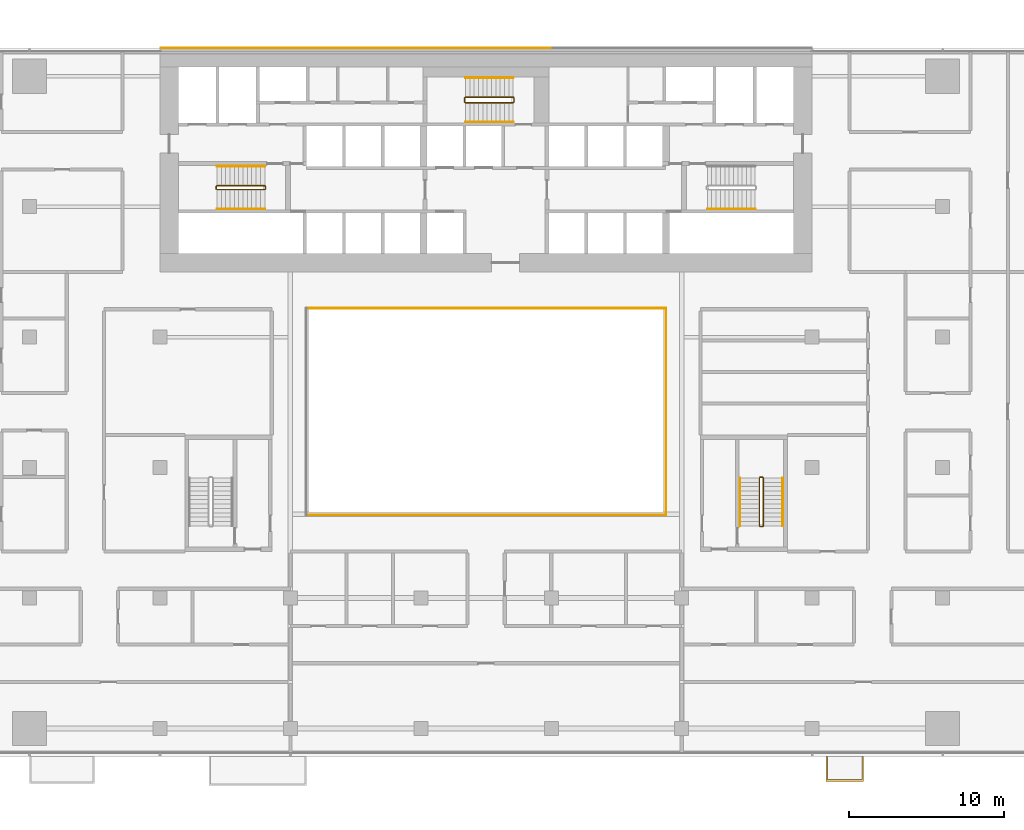
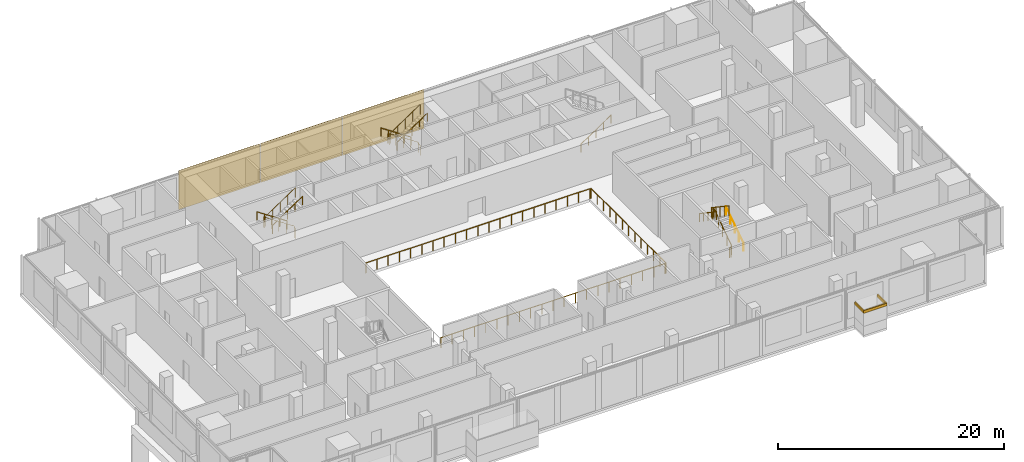
# One storey, part 22 of 23: 13 railings, 4 coverings.
"""IFC4 building model written with IfcOpenShell, lengths in metres."""

import ifcopenshell
import ifcopenshell.guid

model = None  # the IFC model being written
_history = None  # IfcOwnerHistory: only IFC2X3 demands one
_inside = {}  # id of a spatial element -> (the spatial element, [elements in it])
_under = {}  # id of a project, library or spatial element -> (it, [spatial elements below it])
_declared = {}  # id of a project -> (the project, [libraries it declares])
_typed = {}  # id of a type object -> (the type object, [elements of that type])
_made_of = {}  # id of a material, layer set ... -> (it, [elements and type objects made of it])


def new_model(schema):
    """Start an empty IFC model of exactly this schema.

    Asked for "IFC4X3", IfcOpenShell would pick the latest addendum, in which some entities
    have other attributes; the version numbers below select the first issue.
    IFC2X3 requires an IfcOwnerHistory on every rooted entity: one is made here for all.
    """
    global model, _history
    if schema == "IFC4X3":
        model = ifcopenshell.file(schema_version=(4, 3, 0, 0))
    else:
        model = ifcopenshell.file(schema=schema)
    _inside.clear()
    _under.clear()
    _declared.clear()
    _typed.clear()
    _made_of.clear()
    _history = None
    if model.schema == "IFC2X3":
        org = make("IfcOrganization", Name="unknown")
        user = make(
            "IfcPersonAndOrganization",
            ThePerson=make("IfcPerson", FamilyName="unknown"),
            TheOrganization=org,
        )
        app = make(
            "IfcApplication",
            ApplicationDeveloper=org,
            Version="unknown",
            ApplicationFullName="unknown",
            ApplicationIdentifier="unknown",
        )
        _history = make(
            "IfcOwnerHistory",
            OwningUser=user,
            OwningApplication=app,
            ChangeAction="ADDED",
            CreationDate=0,
        )
    return model


def make(cls, **values):
    """One entity of the class cls with the attributes given. An attribute that is None is left unset."""
    return model.create_entity(
        cls, **{name: value for name, value in values.items() if value is not None}
    )


def rooted(cls, **values):
    """An entity with a GlobalId (a new one), such as an element, a storey or a relation."""
    return make(cls, GlobalId=ifcopenshell.guid.new(), OwnerHistory=_history, **values)


def si_unit(unit_type, name, prefix=None):
    """IfcSIUnit, for example si_unit("LENGTHUNIT", "METRE", prefix="MILLI")."""
    return make("IfcSIUnit", UnitType=unit_type, Prefix=prefix, Name=name)


def assignment(units):
    """IfcUnitAssignment: the units of a project."""
    return None if units is None else make("IfcUnitAssignment", Units=units)


def point(xyz):
    """IfcCartesianPoint."""
    return None if xyz is None else make("IfcCartesianPoint", Coordinates=xyz)


def direction(xyz):
    """IfcDirection."""
    return None if xyz is None else make("IfcDirection", DirectionRatios=xyz)


def frame(location, z_axis=None, x_axis=None):
    """IfcAxis2Placement3D, a coordinate frame: its origin and axes. An axis left out is left unset."""
    return make(
        "IfcAxis2Placement3D",
        Location=point(location),
        Axis=direction(z_axis),
        RefDirection=direction(x_axis),
    )


def frame_2d(location, x_axis=None):
    """IfcAxis2Placement2D, a coordinate frame in the plane: its origin and x axis."""
    return make(
        "IfcAxis2Placement2D", Location=point(location), RefDirection=direction(x_axis)
    )


def origin():
    """The frame at (0, 0, 0) with its axes left unset."""
    return frame((0.0, 0.0, 0.0))


def origin_2d():
    """The frame at (0, 0) in the plane with its x axis left unset."""
    return frame_2d((0.0, 0.0))


def place(relative_to, where):
    """IfcLocalPlacement: puts the frame where relative to a parent placement (None: the world)."""
    return make(
        "IfcLocalPlacement", PlacementRelTo=relative_to, RelativePlacement=where
    )


def context(
    kind, dimensions, precision=None, world=None, true_north=None, identifier=None
):
    """IfcGeometricRepresentationContext, for example the 3D "Model" context."""
    return make(
        "IfcGeometricRepresentationContext",
        ContextIdentifier=identifier,
        ContextType=kind,
        CoordinateSpaceDimension=dimensions,
        Precision=precision,
        WorldCoordinateSystem=world,
        TrueNorth=true_north,
    )


def subcontext(parent, identifier, kind, view, scale=None):
    """IfcGeometricRepresentationSubContext, for example "Body" below "Model"."""
    return make(
        "IfcGeometricRepresentationSubContext",
        ContextIdentifier=identifier,
        ContextType=kind,
        ParentContext=parent,
        TargetScale=scale,
        TargetView=view,
    )


def project(units=None, contexts=None):
    """IfcProject with its units and contexts."""
    return rooted(
        "IfcProject",
        Name="project",
        RepresentationContexts=contexts,
        UnitsInContext=assignment(units),
    )


def spatial(cls, under=None, at=None, **own):
    """A site, building, storey or space (cls), placed at a placement, below another one or the project."""
    s = rooted(cls, ObjectPlacement=at, **own)
    if under is not None:
        _under.setdefault(under.id(), (under, []))[1].append(s)
    return s


def polyline(points):
    """IfcPolyline through the points."""
    return make("IfcPolyline", Points=[point(p) for p in points])


def profile(cls, at=None, kind="AREA", **sizes):
    """A parametric profile (cls). Its sizes go by their IFC names, for example OverallWidth=200.0."""
    return make(cls, ProfileType=kind, Position=at, **sizes)


def circle(**sizes):
    """IfcCircleProfileDef."""
    return profile("IfcCircleProfileDef", **sizes)


def outline(outer, holes=None, kind="AREA"):
    """IfcArbitraryClosedProfileDef: a profile drawn as a closed curve; with holes, ...WithVoids."""
    if holes is None:
        return make("IfcArbitraryClosedProfileDef", ProfileType=kind, OuterCurve=outer)
    return make(
        "IfcArbitraryProfileDefWithVoids",
        ProfileType=kind,
        OuterCurve=outer,
        InnerCurves=holes,
    )


def extrude(swept, where, along, depth):
    """IfcExtrudedAreaSolid: the profile swept, set in the frame where, extruded along a direction by depth."""
    return make(
        "IfcExtrudedAreaSolid",
        SweptArea=swept,
        Position=where,
        ExtrudedDirection=direction(along),
        Depth=depth,
    )


def shape(context_of_items, identifier, shape_type, items):
    """IfcShapeRepresentation: the items that make up one representation, for example the "Body"."""
    return make(
        "IfcShapeRepresentation",
        ContextOfItems=context_of_items,
        RepresentationIdentifier=identifier,
        RepresentationType=shape_type,
        Items=items,
    )


def material(Name=None, Category=None):
    """IfcMaterial."""
    return make("IfcMaterial", Name=Name, Category=Category)


def layer(
    of_material, thickness, ventilated=None, Name=None, Category=None, Priority=None
):
    """IfcMaterialLayer: one layer of a wall or slab, of a material (None: an air gap)."""
    return make(
        "IfcMaterialLayer",
        Material=of_material,
        LayerThickness=thickness,
        IsVentilated=ventilated,
        Name=Name,
        Category=Category,
        Priority=Priority,
    )


def layer_set(layers, Name=None):
    """IfcMaterialLayerSet."""
    return make("IfcMaterialLayerSet", MaterialLayers=layers, LayerSetName=Name)


def made_of(thing, what):
    """Note that an element or type object is made of a material, layer set ...; save() writes the relation."""
    if what is not None:
        _made_of.setdefault(what.id(), (what, []))[1].append(thing)
    return thing


def type_object(cls, material=None, **own):
    """A type object (cls), such as IfcWallType, which elements share."""
    return made_of(rooted(cls, **own), material)


def element(
    cls,
    number,
    at=None,
    inside=None,
    cuts=None,
    type_object=None,
    material=None,
    context=None,
    identifier="Body",
    shape_type=None,
    held_by="IfcProductDefinitionShape",
    body=None,
    shapes=None,
    **own,
):
    """One element of the class cls, such as IfcWall. Its Tag is "e" and its number.

    at: its placement. inside: the storey or other place that contains it. cuts: it is an
    opening in that element (IfcRelVoidsElement). A single representation is given by context,
    identifier, shape_type and body (its items); several are given by shapes. held_by: the class
    of the entity that holds the representations. save() writes the other relations.
    """
    e = rooted(cls, Tag="e%d" % number, ObjectPlacement=at, **own)
    if body is not None:
        shapes = [shape(context, identifier, shape_type, body)]
    if shapes is not None:
        e.Representation = make(held_by, Representations=shapes)
    if inside is not None:
        _inside.setdefault(inside.id(), (inside, []))[1].append(e)
    if cuts is not None:
        rooted(
            "IfcRelVoidsElement", RelatingBuildingElement=cuts, RelatedOpeningElement=e
        )
    if type_object is not None:
        _typed.setdefault(type_object.id(), (type_object, []))[1].append(e)
    return made_of(e, material)


def aggregate(whole, parts):
    """IfcRelAggregates: a whole, such as a stair, and the parts it consists of."""
    return rooted("IfcRelAggregates", RelatingObject=whole, RelatedObjects=parts)


def save(model, path):
    """Write the relations noted so far, then the file.

    IfcRelAggregates (storeys below a building ...), IfcRelContainedInSpatialStructure (elements
    in a storey), IfcRelDefinesByType, IfcRelAssociatesMaterial and IfcRelDeclares: one each for
    every whole, place, type object, material and project.
    """
    for whole, parts in _under.values():
        aggregate(whole, parts)
    for where, things in _inside.values():
        rooted(
            "IfcRelContainedInSpatialStructure",
            RelatedElements=things,
            RelatingStructure=where,
        )
    for kind, things in _typed.values():
        rooted("IfcRelDefinesByType", RelatedObjects=things, RelatingType=kind)
    for what, things in _made_of.values():
        rooted("IfcRelAssociatesMaterial", RelatedObjects=things, RelatingMaterial=what)
    for by, libraries in _declared.values():
        rooted("IfcRelDeclares", RelatingContext=by, RelatedDefinitions=libraries)
    model.write(path)


model = new_model("IFC4")

# Units and contexts
model_context = context("Model", 3, precision=1e-05, world=origin(), true_north=direction((0.0, 1.0)))
body_context = subcontext(model_context, "Body", "Model", "MODEL_VIEW")
ifc_project = project(units=[si_unit("LENGTHUNIT", "METRE"), si_unit("AREAUNIT", "SQUARE_METRE"), si_unit("VOLUMEUNIT", "CUBIC_METRE"), si_unit("PLANEANGLEUNIT", "RADIAN"), si_unit("MASSUNIT", "GRAM", prefix="KILO")], contexts=[model_context])

# Site, building, storey
site_placement = place(None, origin())
site = spatial("IfcSite", under=ifc_project, at=site_placement, CompositionType="ELEMENT")
building_placement = place(site_placement, origin())
building = spatial("IfcBuilding", under=site, at=building_placement, Name="Saffron Gate Tower", CompositionType="ELEMENT")
storey_placement = place(building_placement, frame((0.0, 0.0, 32.699951171875)))
storey = spatial("IfcBuildingStorey", under=building, at=storey_placement, Name="L06", CompositionType="ELEMENT", Elevation=32.699951171875)

# Railings
ifc_material_1 = material(Name="Stainless steel and laminated glass", Category="steel")
railing_type_1 = type_object("IfcRailingType", Name="AG1 Atrium edge guard 1100", PredefinedType="GUARDRAIL", material=ifc_material_1)
railing_1_placement = place(storey_placement, frame((76.139892578125, 58.860107421875, 0.0)))
element("IfcRailing", 1, at=railing_1_placement, inside=storey, type_object=railing_type_1, Name="Guard S2-2", PredefinedType="GUARDRAIL", context=body_context, shape_type="SweptSolid", body=[
    extrude(circle(Radius=0.02392578125, at=origin_2d()), frame((0.0, 0.0, 1.076171875), z_axis=(1.0, 0.0, 0.0), x_axis=(0.0, 1.0, 0.0)), (0.0, 0.0, 1.0), 22.920166015625),
    extrude(circle(Radius=0.02099609375, at=origin_2d()), origin(), (0.0, 0.0, 1.0), 1.052001953125),
    extrude(circle(Radius=0.02099609375, at=origin_2d()), frame((1.14599609375, 0.0, 0.0)), (0.0, 0.0, 1.0), 1.052001953125),
    extrude(circle(Radius=0.02099609375, at=origin_2d()), frame((2.2919921875, 0.0, 0.0)), (0.0, 0.0, 1.0), 1.052001953125),
    extrude(circle(Radius=0.02099609375, at=origin_2d()), frame((3.43798828125, 0.0, 0.0)), (0.0, 0.0, 1.0), 1.052001953125),
    extrude(circle(Radius=0.02099609375, at=origin_2d()), frame((4.583984375, 0.0, 0.0)), (0.0, 0.0, 1.0), 1.052001953125),
    extrude(circle(Radius=0.02099609375, at=origin_2d()), frame((5.72998046875, 0.0, 0.0)), (0.0, 0.0, 1.0), 1.052001953125),
    extrude(circle(Radius=0.02099609375, at=origin_2d()), frame((6.8759765625, 0.0, 0.0)), (0.0, 0.0, 1.0), 1.052001953125),
    extrude(circle(Radius=0.02099609375, at=origin_2d()), frame((8.02197265625, 0.0, 0.0)), (0.0, 0.0, 1.0), 1.052001953125),
    extrude(circle(Radius=0.02099609375, at=origin_2d()), frame((9.16796875, 0.0, 0.0)), (0.0, 0.0, 1.0), 1.052001953125),
    extrude(circle(Radius=0.02099609375, at=origin_2d()), frame((10.31396484375, 0.0, 0.0)), (0.0, 0.0, 1.0), 1.052001953125),
    extrude(circle(Radius=0.02099609375, at=origin_2d()), frame((11.4599609375, 0.0, 0.0)), (0.0, 0.0, 1.0), 1.052001953125),
    extrude(circle(Radius=0.02099609375, at=origin_2d()), frame((12.606201171875, 0.0, 0.0)), (0.0, 0.0, 1.0), 1.052001953125),
    extrude(circle(Radius=0.02099609375, at=origin_2d()), frame((13.752197265625, 0.0, 0.0)), (0.0, 0.0, 1.0), 1.052001953125),
    extrude(circle(Radius=0.02099609375, at=origin_2d()), frame((14.898193359375, 0.0, 0.0)), (0.0, 0.0, 1.0), 1.052001953125),
    extrude(circle(Radius=0.02099609375, at=origin_2d()), frame((16.044189453125, 0.0, 0.0)), (0.0, 0.0, 1.0), 1.052001953125),
    extrude(circle(Radius=0.02099609375, at=origin_2d()), frame((17.190185546875, 0.0, 0.0)), (0.0, 0.0, 1.0), 1.052001953125),
    extrude(circle(Radius=0.02099609375, at=origin_2d()), frame((18.336181640625, 0.0, 0.0)), (0.0, 0.0, 1.0), 1.052001953125),
    extrude(circle(Radius=0.02099609375, at=origin_2d()), frame((19.482177734375, 0.0, 0.0)), (0.0, 0.0, 1.0), 1.052001953125),
    extrude(circle(Radius=0.02099609375, at=origin_2d()), frame((20.628173828125, 0.0, 0.0)), (0.0, 0.0, 1.0), 1.052001953125),
    extrude(circle(Radius=0.02099609375, at=origin_2d()), frame((21.774169921875, 0.0, 0.0)), (0.0, 0.0, 1.0), 1.052001953125),
    extrude(circle(Radius=0.02099609375, at=origin_2d()), frame((22.920166015625, 0.0, 0.0)), (0.0, 0.0, 1.0), 1.052001953125),
])
railing_2_placement = place(storey_placement, frame((99.179931640625, 58.860107421875, 0.0)))
element("IfcRailing", 2, at=railing_2_placement, inside=storey, type_object=railing_type_1, Name="Guard S2-3", PredefinedType="GUARDRAIL", context=body_context, shape_type="SweptSolid", body=[
    extrude(circle(Radius=0.02392578125, at=origin_2d()), frame((0.0, 0.0, 1.076171875), z_axis=(0.0, -1.0, 0.0), x_axis=(1.0, 0.0, 0.0)), (0.0, 0.0, 1.0), 13.320068359375),
    extrude(circle(Radius=0.02099609375, at=origin_2d()), origin(), (0.0, 0.0, 1.0), 1.052001953125),
    extrude(circle(Radius=0.02099609375, at=origin_2d()), frame((0.0, -1.110107421875, 0.0)), (0.0, 0.0, 1.0), 1.052001953125),
    extrude(circle(Radius=0.02099609375, at=origin_2d()), frame((0.0, -2.219970703125, 0.0)), (0.0, 0.0, 1.0), 1.052001953125),
    extrude(circle(Radius=0.02099609375, at=origin_2d()), frame((0.0, -3.330078125, 0.0)), (0.0, 0.0, 1.0), 1.052001953125),
    extrude(circle(Radius=0.02099609375, at=origin_2d()), frame((0.0, -4.43994140625, 0.0)), (0.0, 0.0, 1.0), 1.052001953125),
    extrude(circle(Radius=0.02099609375, at=origin_2d()), frame((0.0, -5.550048828125, 0.0)), (0.0, 0.0, 1.0), 1.052001953125),
    extrude(circle(Radius=0.02099609375, at=origin_2d()), frame((0.0, -6.66015625, 0.0)), (0.0, 0.0, 1.0), 1.052001953125),
    extrude(circle(Radius=0.02099609375, at=origin_2d()), frame((0.0, -7.77001953125, 0.0)), (0.0, 0.0, 1.0), 1.052001953125),
    extrude(circle(Radius=0.02099609375, at=origin_2d()), frame((0.0, -8.880126953125, 0.0)), (0.0, 0.0, 1.0), 1.052001953125),
    extrude(circle(Radius=0.02099609375, at=origin_2d()), frame((0.0, -9.989990234375, 0.0)), (0.0, 0.0, 1.0), 1.052001953125),
    extrude(circle(Radius=0.02099609375, at=origin_2d()), frame((0.0, -11.10009765625, 0.0)), (0.0, 0.0, 1.0), 1.052001953125),
    extrude(circle(Radius=0.02099609375, at=origin_2d()), frame((0.0, -12.2099609375, 0.0)), (0.0, 0.0, 1.0), 1.052001953125),
    extrude(circle(Radius=0.02099609375, at=origin_2d()), frame((0.0, -13.320068359375, 0.0)), (0.0, 0.0, 1.0), 1.052001953125),
])
railing_3_placement = place(storey_placement, frame((99.06005859375, 45.5400390625, 0.0)))
element("IfcRailing", 3, at=railing_3_placement, inside=storey, type_object=railing_type_1, Name="Guard S2-4", PredefinedType="GUARDRAIL", context=body_context, shape_type="SweptSolid", body=[
    extrude(circle(Radius=0.02392578125, at=origin_2d()), frame((0.0, 0.0, 1.076171875), z_axis=(-1.0, 0.0, 0.0), x_axis=(0.0, -1.0, 0.0)), (0.0, 0.0, 1.0), 22.920166015625),
    extrude(circle(Radius=0.02099609375, at=origin_2d()), origin(), (0.0, 0.0, 1.0), 1.052001953125),
    extrude(circle(Radius=0.02099609375, at=origin_2d()), frame((-1.14599609375, 0.0, 0.0)), (0.0, 0.0, 1.0), 1.052001953125),
    extrude(circle(Radius=0.02099609375, at=origin_2d()), frame((-2.2919921875, 0.0, 0.0)), (0.0, 0.0, 1.0), 1.052001953125),
    extrude(circle(Radius=0.02099609375, at=origin_2d()), frame((-3.43798828125, 0.0, 0.0)), (0.0, 0.0, 1.0), 1.052001953125),
    extrude(circle(Radius=0.02099609375, at=origin_2d()), frame((-4.583984375, 0.0, 0.0)), (0.0, 0.0, 1.0), 1.052001953125),
    extrude(circle(Radius=0.02099609375, at=origin_2d()), frame((-5.72998046875, 0.0, 0.0)), (0.0, 0.0, 1.0), 1.052001953125),
    extrude(circle(Radius=0.02099609375, at=origin_2d()), frame((-6.8759765625, 0.0, 0.0)), (0.0, 0.0, 1.0), 1.052001953125),
    extrude(circle(Radius=0.02099609375, at=origin_2d()), frame((-8.02197265625, 0.0, 0.0)), (0.0, 0.0, 1.0), 1.052001953125),
    extrude(circle(Radius=0.02099609375, at=origin_2d()), frame((-9.16796875, 0.0, 0.0)), (0.0, 0.0, 1.0), 1.052001953125),
    extrude(circle(Radius=0.02099609375, at=origin_2d()), frame((-10.31396484375, 0.0, 0.0)), (0.0, 0.0, 1.0), 1.052001953125),
    extrude(circle(Radius=0.02099609375, at=origin_2d()), frame((-11.4599609375, 0.0, 0.0)), (0.0, 0.0, 1.0), 1.052001953125),
    extrude(circle(Radius=0.02099609375, at=origin_2d()), frame((-12.606201171875, 0.0, 0.0)), (0.0, 0.0, 1.0), 1.052001953125),
    extrude(circle(Radius=0.02099609375, at=origin_2d()), frame((-13.752197265625, 0.0, 0.0)), (0.0, 0.0, 1.0), 1.052001953125),
    extrude(circle(Radius=0.02099609375, at=origin_2d()), frame((-14.898193359375, 0.0, 0.0)), (0.0, 0.0, 1.0), 1.052001953125),
    extrude(circle(Radius=0.02099609375, at=origin_2d()), frame((-16.044189453125, 0.0, 0.0)), (0.0, 0.0, 1.0), 1.052001953125),
    extrude(circle(Radius=0.02099609375, at=origin_2d()), frame((-17.190185546875, 0.0, 0.0)), (0.0, 0.0, 1.0), 1.052001953125),
    extrude(circle(Radius=0.02099609375, at=origin_2d()), frame((-18.336181640625, 0.0, 0.0)), (0.0, 0.0, 1.0), 1.052001953125),
    extrude(circle(Radius=0.02099609375, at=origin_2d()), frame((-19.482177734375, 0.0, 0.0)), (0.0, 0.0, 1.0), 1.052001953125),
    extrude(circle(Radius=0.02099609375, at=origin_2d()), frame((-20.628173828125, 0.0, 0.0)), (0.0, 0.0, 1.0), 1.052001953125),
    extrude(circle(Radius=0.02099609375, at=origin_2d()), frame((-21.774169921875, 0.0, 0.0)), (0.0, 0.0, 1.0), 1.052001953125),
    extrude(circle(Radius=0.02099609375, at=origin_2d()), frame((-22.920166015625, 0.0, 0.0)), (0.0, 0.0, 1.0), 1.052001953125),
])

# Coverings
ifc_material_2 = material(Name="Powder-coated aluminium, bright green", Category="aluminium")
ifc_layer_1 = layer(ifc_material_2, 0.080078125)
ifc_layer_set_1 = layer_set([ifc_layer_1], Name="BX1 box frame")
covering_type_1 = type_object("IfcCoveringType", Name="BX1 box frame", PredefinedType="CLADDING", material=ifc_layer_set_1)
covering_1_placement = place(storey_placement, frame((0.0, 0.0, 2.400146484375)))
element("IfcCovering", 4, at=covering_1_placement, inside=storey, type_object=covering_type_1, Name="CLADDING box frame bright", PredefinedType="CLADDING", context=body_context, shape_type="SweptSolid", body=[
    extrude(outline(polyline([(109.5, 30.0), (109.60009765625, 30.0), (109.60009765625, 28.5), (111.800048828125, 28.5), (111.800048828125, 30.0), (111.89990234375, 30.0), (111.89990234375, 28.39990234375), (109.5, 28.39990234375), (109.5, 30.0)])), origin(), (0.0, 0.0, 1.0), 0.2998046875),
])
ifc_material_3 = material(Name="Ceramic-printed bronze insulated panel")
ifc_layer_2 = layer(ifc_material_3, 0.0400390625)
ifc_layer_set_2 = layer_set([ifc_layer_2], Name="CLD1 ceramic-printed cladding panel 40")
covering_type_2 = type_object("IfcCoveringType", Name="CLD1 ceramic-printed cladding panel 40", PredefinedType="CLADDING", material=ifc_layer_set_2)
covering_2_placement = place(storey_placement, origin())
element("IfcCovering", 5, at=covering_2_placement, inside=storey, type_object=covering_type_2, Name="CLADDING ceramic-printed panel", PredefinedType="CLADDING", context=body_context, shape_type="SweptSolid", body=[
    extrude(outline(polyline([(91.760009765625, 75.639892578125), (83.43994140625, 75.639892578125), (83.43994140625, 75.60009765625), (91.760009765625, 75.60009765625), (91.760009765625, 75.639892578125)])), origin(), (0.0, 0.0, 1.0), 4.219970703125),
])
covering_3_placement = place(storey_placement, origin())
element("IfcCovering", 6, at=covering_3_placement, inside=storey, type_object=covering_type_2, Name="CLADDING ceramic-printed panel", PredefinedType="CLADDING", context=body_context, shape_type="SweptSolid", body=[
    extrude(outline(polyline([(83.360107421875, 75.639892578125), (75.0400390625, 75.639892578125), (75.0400390625, 75.60009765625), (83.360107421875, 75.60009765625), (83.360107421875, 75.639892578125)])), origin(), (0.0, 0.0, 1.0), 4.219970703125),
])
covering_4_placement = place(storey_placement, origin())
element("IfcCovering", 7, at=covering_4_placement, inside=storey, type_object=covering_type_2, Name="CLADDING ceramic-printed panel", PredefinedType="CLADDING", context=body_context, shape_type="SweptSolid", body=[
    extrude(outline(polyline([(74.9599609375, 75.639892578125), (66.639892578125, 75.639892578125), (66.639892578125, 75.60009765625), (74.9599609375, 75.60009765625), (74.9599609375, 75.639892578125)])), origin(), (0.0, 0.0, 1.0), 4.219970703125),
])

# Railings
railing_type_2 = type_object("IfcRailingType", Name="CR1 Stair guard 1100", PredefinedType="GUARDRAIL", material=ifc_material_1)
railing_4_placement = place(storey_placement, frame((73.39990234375, 66.550048828125, 0.0)))
element("IfcRailing", 8, at=railing_4_placement, inside=storey, type_object=railing_type_2, Name="L06 ST-A stair guard 1", PredefinedType="GUARDRAIL", context=body_context, shape_type="SweptSolid", body=[
    extrude(circle(Radius=0.02392578125, at=origin_2d()), frame((0.0, 0.0, 1.076171875), z_axis=(0.0, 1.0, 0.0), x_axis=(-1.0, 0.0, 0.0)), (0.0, 0.0, 1.0), 0.14990234375),
    extrude(circle(Radius=0.02392578125, at=origin_2d()), frame((0.0, 0.14990234375, 1.076171875), z_axis=(-0.248583702486, 0.249802250048, 0.935844527007), x_axis=(-0.708833529934, -0.705375805398, 0.0)), (0.0, 0.0, 1.0), 0.200439453125),
    extrude(circle(Radius=0.02392578125, at=origin_2d()), frame((-0.0498046875, 0.199951171875, 1.263671875), z_axis=(-0.830913701846, 0.0, 0.55640131208), x_axis=(0.0, -1.0, 0.0)), (0.0, 0.0, 1.0), 3.706787109375),
    extrude(circle(Radius=0.02392578125, at=origin_2d()), frame((-3.1298828125, 0.199951171875, 3.326171875), z_axis=(-0.707106781187, -0.707106781187, 0.0), x_axis=(0.707106781187, -0.707106781187, 0.0)), (0.0, 0.0, 1.0), 0.07080078125),
    extrude(circle(Radius=0.02392578125, at=origin_2d()), frame((-3.179931640625, 0.14990234375, 3.326171875), z_axis=(0.0, -1.0, 0.0), x_axis=(1.0, 0.0, 0.0)), (0.0, 0.0, 1.0), 0.14990234375),
    extrude(circle(Radius=0.02392578125, at=origin_2d()), frame((-3.179931640625, 0.0, 3.326171875), z_axis=(0.249726431254, -0.249726431254, 0.935560483917), x_axis=(0.707106781187, 0.707106781187, 0.0)), (0.0, 0.0, 1.0), 0.200439453125),
    extrude(circle(Radius=0.02392578125, at=origin_2d()), frame((-3.1298828125, -0.050048828125, 3.513671875), z_axis=(0.830913701846, 0.0, 0.55640131208), x_axis=(0.0, 1.0, 0.0)), (0.0, 0.0, 1.0), 3.706787109375),
    extrude(circle(Radius=0.02099609375, at=origin_2d()), origin(), (0.0, 0.0, 1.0), 1.052001953125),
    extrude(circle(Radius=0.02099609375, at=origin_2d()), frame((0.0, 0.14990234375, 0.0)), (0.0, 0.0, 1.0), 1.052001953125),
    extrude(circle(Radius=0.02099609375, at=origin_2d()), frame((-0.0498046875, 0.199951171875, 0.1875)), (0.0, 0.0, 1.0), 1.052001953125),
    extrude(circle(Radius=0.02099609375, at=origin_2d()), frame((-0.81982421875, 0.199951171875, 0.703125)), (0.0, 0.0, 1.0), 1.052001953125),
    extrude(circle(Radius=0.02099609375, at=origin_2d()), frame((-1.58984375, 0.199951171875, 1.21875)), (0.0, 0.0, 1.0), 1.052001953125),
    extrude(circle(Radius=0.02099609375, at=origin_2d()), frame((-2.35986328125, 0.199951171875, 1.734375)), (0.0, 0.0, 1.0), 1.052001953125),
    extrude(circle(Radius=0.02099609375, at=origin_2d()), frame((-3.1298828125, 0.199951171875, 2.25)), (0.0, 0.0, 1.0), 1.052001953125),
    extrude(circle(Radius=0.02099609375, at=origin_2d()), frame((-3.179931640625, 0.14990234375, 2.25)), (0.0, 0.0, 1.0), 1.052001953125),
    extrude(circle(Radius=0.02099609375, at=origin_2d()), frame((-3.179931640625, 0.0, 2.25)), (0.0, 0.0, 1.0), 1.052001953125),
    extrude(circle(Radius=0.02099609375, at=origin_2d()), frame((-3.1298828125, -0.050048828125, 2.4375)), (0.0, 0.0, 1.0), 1.052001953125),
    extrude(circle(Radius=0.02099609375, at=origin_2d()), frame((-2.35986328125, -0.050048828125, 2.953125)), (0.0, 0.0, 1.0), 1.052001953125),
    extrude(circle(Radius=0.02099609375, at=origin_2d()), frame((-1.58984375, -0.050048828125, 3.46875)), (0.0, 0.0, 1.0), 1.052001953125),
    extrude(circle(Radius=0.02099609375, at=origin_2d()), frame((-0.81982421875, -0.050048828125, 3.984375)), (0.0, 0.0, 1.0), 1.052001953125),
    extrude(circle(Radius=0.02099609375, at=origin_2d()), frame((-0.0498046875, -0.050048828125, 4.5)), (0.0, 0.0, 1.0), 1.052001953125),
])
railing_5_placement = place(storey_placement, frame((89.39990234375, 72.14990234375, 0.0)))
element("IfcRailing", 9, at=railing_5_placement, inside=storey, type_object=railing_type_2, Name="L06 ST-C stair guard 1", PredefinedType="GUARDRAIL", context=body_context, shape_type="SweptSolid", body=[
    extrude(circle(Radius=0.02392578125, at=origin_2d()), frame((0.0, 0.0, 1.076171875), z_axis=(0.0, 1.0, 0.0), x_axis=(-1.0, 0.0, 0.0)), (0.0, 0.0, 1.0), 0.25),
    extrude(circle(Radius=0.02392578125, at=origin_2d()), frame((0.0, 0.25, 1.076171875), z_axis=(-0.248583702486, 0.249802250048, 0.935844527007), x_axis=(-0.708833529934, -0.705375805398, 0.0)), (0.0, 0.0, 1.0), 0.200439453125),
    extrude(circle(Radius=0.02392578125, at=origin_2d()), frame((-0.0498046875, 0.300048828125, 1.263671875), z_axis=(-0.830913701846, 0.0, 0.55640131208), x_axis=(0.0, -1.0, 0.0)), (0.0, 0.0, 1.0), 3.706787109375),
    extrude(circle(Radius=0.02392578125, at=origin_2d()), frame((-3.1298828125, 0.300048828125, 3.326171875), z_axis=(-0.707106781187, -0.707106781187, 0.0), x_axis=(0.707106781187, -0.707106781187, 0.0)), (0.0, 0.0, 1.0), 0.07080078125),
    extrude(circle(Radius=0.02392578125, at=origin_2d()), frame((-3.179931640625, 0.25, 3.326171875), z_axis=(0.0, -1.0, 0.0), x_axis=(1.0, 0.0, 0.0)), (0.0, 0.0, 1.0), 0.25),
    extrude(circle(Radius=0.02392578125, at=origin_2d()), frame((-3.179931640625, 0.0, 3.326171875), z_axis=(0.249802250048, -0.248583702486, 0.935844527007), x_axis=(0.705375805398, 0.708833529934, 0.0)), (0.0, 0.0, 1.0), 0.200439453125),
    extrude(circle(Radius=0.02392578125, at=origin_2d()), frame((-3.1298828125, -0.0498046875, 3.513671875), z_axis=(0.830913701846, 0.0, 0.55640131208), x_axis=(0.0, 1.0, 0.0)), (0.0, 0.0, 1.0), 3.706787109375),
    extrude(circle(Radius=0.02099609375, at=origin_2d()), origin(), (0.0, 0.0, 1.0), 1.052001953125),
    extrude(circle(Radius=0.02099609375, at=origin_2d()), frame((0.0, 0.25, 0.0)), (0.0, 0.0, 1.0), 1.052001953125),
    extrude(circle(Radius=0.02099609375, at=origin_2d()), frame((-0.0498046875, 0.300048828125, 0.1875)), (0.0, 0.0, 1.0), 1.052001953125),
    extrude(circle(Radius=0.02099609375, at=origin_2d()), frame((-0.81982421875, 0.300048828125, 0.703125)), (0.0, 0.0, 1.0), 1.052001953125),
    extrude(circle(Radius=0.02099609375, at=origin_2d()), frame((-1.58984375, 0.300048828125, 1.21875)), (0.0, 0.0, 1.0), 1.052001953125),
    extrude(circle(Radius=0.02099609375, at=origin_2d()), frame((-2.35986328125, 0.300048828125, 1.734375)), (0.0, 0.0, 1.0), 1.052001953125),
    extrude(circle(Radius=0.02099609375, at=origin_2d()), frame((-3.1298828125, 0.300048828125, 2.25)), (0.0, 0.0, 1.0), 1.052001953125),
    extrude(circle(Radius=0.02099609375, at=origin_2d()), frame((-3.179931640625, 0.25, 2.25)), (0.0, 0.0, 1.0), 1.052001953125),
    extrude(circle(Radius=0.02099609375, at=origin_2d()), frame((-3.179931640625, 0.0, 2.25)), (0.0, 0.0, 1.0), 1.052001953125),
    extrude(circle(Radius=0.02099609375, at=origin_2d()), frame((-3.1298828125, -0.0498046875, 2.4375)), (0.0, 0.0, 1.0), 1.052001953125),
    extrude(circle(Radius=0.02099609375, at=origin_2d()), frame((-2.35986328125, -0.0498046875, 2.953125)), (0.0, 0.0, 1.0), 1.052001953125),
    extrude(circle(Radius=0.02099609375, at=origin_2d()), frame((-1.58984375, -0.0498046875, 3.46875)), (0.0, 0.0, 1.0), 1.052001953125),
    extrude(circle(Radius=0.02099609375, at=origin_2d()), frame((-0.81982421875, -0.0498046875, 3.984375)), (0.0, 0.0, 1.0), 1.052001953125),
    extrude(circle(Radius=0.02099609375, at=origin_2d()), frame((-0.0498046875, -0.0498046875, 4.5)), (0.0, 0.0, 1.0), 1.052001953125),
])
railing_6_placement = place(storey_placement, frame((105.25, 44.800048828125, 0.0)))
element("IfcRailing", 10, at=railing_6_placement, inside=storey, type_object=railing_type_2, Name="L06 ST-E stair guard 1", PredefinedType="GUARDRAIL", context=body_context, shape_type="SweptSolid", body=[
    extrude(circle(Radius=0.02392578125, at=origin_2d()), frame((0.0, 0.0, 1.076171875), z_axis=(1.0, 0.0, 0.0), x_axis=(0.0, 1.0, 0.0)), (0.0, 0.0, 1.0), 0.14990234375),
    extrude(circle(Radius=0.02392578125, at=origin_2d()), frame((0.14990234375, 0.0, 1.076171875), z_axis=(0.249726431254, 0.249726431254, 0.935560483917), x_axis=(-0.707106781187, 0.707106781187, 0.0)), (0.0, 0.0, 1.0), 0.200439453125),
    extrude(circle(Radius=0.02392578125, at=origin_2d()), frame((0.199951171875, 0.050048828125, 1.263671875), z_axis=(0.0, 0.830893310487, 0.556431762742), x_axis=(-1.0, 0.0, 0.0)), (0.0, 0.0, 1.0), 3.70654296875),
    extrude(circle(Radius=0.02392578125, at=origin_2d()), frame((0.199951171875, 3.1298828125, 3.326171875), z_axis=(-0.707106781187, 0.707106781187, 0.0), x_axis=(-0.707106781187, -0.707106781187, 0.0)), (0.0, 0.0, 1.0), 0.07080078125),
    extrude(circle(Radius=0.02392578125, at=origin_2d()), frame((0.14990234375, 3.179931640625, 3.326171875), z_axis=(-1.0, 0.0, 0.0), x_axis=(0.0, -1.0, 0.0)), (0.0, 0.0, 1.0), 0.14990234375),
    extrude(circle(Radius=0.02392578125, at=origin_2d()), frame((0.0, 3.179931640625, 3.326171875), z_axis=(-0.249726431254, -0.249726431254, 0.935560483917), x_axis=(0.707106781187, -0.707106781187, 0.0)), (0.0, 0.0, 1.0), 0.200439453125),
    extrude(circle(Radius=0.02392578125, at=origin_2d()), frame((-0.050048828125, 3.1298828125, 3.513671875), z_axis=(0.0, -0.830893310487, 0.556431762742), x_axis=(1.0, 0.0, 0.0)), (0.0, 0.0, 1.0), 3.70654296875),
    extrude(circle(Radius=0.02099609375, at=origin_2d()), origin(), (0.0, 0.0, 1.0), 1.052001953125),
    extrude(circle(Radius=0.02099609375, at=origin_2d()), frame((0.14990234375, 0.0, 0.0)), (0.0, 0.0, 1.0), 1.052001953125),
    extrude(circle(Radius=0.02099609375, at=origin_2d()), frame((0.199951171875, 0.050048828125, 0.1875)), (0.0, 0.0, 1.0), 1.052001953125),
    extrude(circle(Radius=0.02099609375, at=origin_2d()), frame((0.199951171875, 0.820068359375, 0.703125)), (0.0, 0.0, 1.0), 1.052001953125),
    extrude(circle(Radius=0.02099609375, at=origin_2d()), frame((0.199951171875, 1.58984375, 1.21875)), (0.0, 0.0, 1.0), 1.052001953125),
    extrude(circle(Radius=0.02099609375, at=origin_2d()), frame((0.199951171875, 2.35986328125, 1.734375)), (0.0, 0.0, 1.0), 1.052001953125),
    extrude(circle(Radius=0.02099609375, at=origin_2d()), frame((0.199951171875, 3.1298828125, 2.25)), (0.0, 0.0, 1.0), 1.052001953125),
    extrude(circle(Radius=0.02099609375, at=origin_2d()), frame((0.14990234375, 3.179931640625, 2.25)), (0.0, 0.0, 1.0), 1.052001953125),
    extrude(circle(Radius=0.02099609375, at=origin_2d()), frame((0.0, 3.179931640625, 2.25)), (0.0, 0.0, 1.0), 1.052001953125),
    extrude(circle(Radius=0.02099609375, at=origin_2d()), frame((-0.050048828125, 3.1298828125, 2.4375)), (0.0, 0.0, 1.0), 1.052001953125),
    extrude(circle(Radius=0.02099609375, at=origin_2d()), frame((-0.050048828125, 2.35986328125, 2.953125)), (0.0, 0.0, 1.0), 1.052001953125),
    extrude(circle(Radius=0.02099609375, at=origin_2d()), frame((-0.050048828125, 1.58984375, 3.46875)), (0.0, 0.0, 1.0), 1.052001953125),
    extrude(circle(Radius=0.02099609375, at=origin_2d()), frame((-0.050048828125, 0.820068359375, 3.984375)), (0.0, 0.0, 1.0), 1.052001953125),
    extrude(circle(Radius=0.02099609375, at=origin_2d()), frame((-0.050048828125, 0.050048828125, 4.5)), (0.0, 0.0, 1.0), 1.052001953125),
])
ifc_material_4 = material(Name="Stainless steel", Category="steel")
railing_type_3 = type_object("IfcRailingType", Name="CR2 Stair handrail 900", PredefinedType="HANDRAIL", material=ifc_material_4)
railing_7_placement = place(storey_placement, frame((73.35009765625, 68.0, 0.1875)))
element("IfcRailing", 11, at=railing_7_placement, inside=storey, type_object=railing_type_3, Name="L06 ST-A stair handrail 1", PredefinedType="HANDRAIL", context=body_context, shape_type="SweptSolid", body=[
    extrude(circle(Radius=0.02392578125, at=origin_2d()), frame((0.0, 0.0, 0.8759765625), z_axis=(-0.830913701846, 0.0, 0.55640131208), x_axis=(0.0, -1.0, 0.0)), (0.0, 0.0, 1.0), 3.706787109375),
    extrude(circle(Radius=0.02099609375, at=origin_2d()), origin(), (0.0, 0.0, 1.0), 0.851806640625),
    extrude(circle(Radius=0.02099609375, at=origin_2d()), frame((-0.77001953125, 0.0, 0.515625)), (0.0, 0.0, 1.0), 0.851806640625),
    extrude(circle(Radius=0.02099609375, at=origin_2d()), frame((-1.5400390625, 0.0, 1.03125)), (0.0, 0.0, 1.0), 0.851806640625),
    extrude(circle(Radius=0.02099609375, at=origin_2d()), frame((-2.31005859375, 0.0, 1.546875)), (0.0, 0.0, 1.0), 0.851806640625),
    extrude(circle(Radius=0.02099609375, at=origin_2d()), frame((-3.080078125, 0.0, 2.0625)), (0.0, 0.0, 1.0), 0.851806640625),
])
railing_8_placement = place(storey_placement, frame((70.27001953125, 65.25, 2.4375)))
element("IfcRailing", 12, at=railing_8_placement, inside=storey, type_object=railing_type_3, Name="L06 ST-A stair handrail 2", PredefinedType="HANDRAIL", context=body_context, shape_type="SweptSolid", body=[
    extrude(circle(Radius=0.02392578125, at=origin_2d()), frame((0.0, 0.0, 0.8759765625), z_axis=(0.830913701846, 0.0, 0.55640131208), x_axis=(0.0, 1.0, 0.0)), (0.0, 0.0, 1.0), 3.706787109375),
    extrude(circle(Radius=0.02099609375, at=origin_2d()), origin(), (0.0, 0.0, 1.0), 0.851806640625),
    extrude(circle(Radius=0.02099609375, at=origin_2d()), frame((0.77001953125, 0.0, 0.515625)), (0.0, 0.0, 1.0), 0.851806640625),
    extrude(circle(Radius=0.02099609375, at=origin_2d()), frame((1.5400390625, 0.0, 1.03125)), (0.0, 0.0, 1.0), 0.851806640625),
    extrude(circle(Radius=0.02099609375, at=origin_2d()), frame((2.31005859375, 0.0, 1.546875)), (0.0, 0.0, 1.0), 0.851806640625),
    extrude(circle(Radius=0.02099609375, at=origin_2d()), frame((3.080078125, 0.0, 2.0625)), (0.0, 0.0, 1.0), 0.851806640625),
])
railing_9_placement = place(storey_placement, frame((101.85009765625, 65.25, 0.1875)))
element("IfcRailing", 13, at=railing_9_placement, inside=storey, type_object=railing_type_3, Name="L06 ST-B stair handrail 1", PredefinedType="HANDRAIL", context=body_context, shape_type="SweptSolid", body=[
    extrude(circle(Radius=0.02392578125, at=origin_2d()), frame((0.0, 0.0, 0.8759765625), z_axis=(0.830893310487, 0.0, 0.556431762742), x_axis=(0.0, 1.0, 0.0)), (0.0, 0.0, 1.0), 3.70654296875),
    extrude(circle(Radius=0.02099609375, at=origin_2d()), origin(), (0.0, 0.0, 1.0), 0.851806640625),
    extrude(circle(Radius=0.02099609375, at=origin_2d()), frame((0.77001953125, 0.0, 0.515625)), (0.0, 0.0, 1.0), 0.851806640625),
    extrude(circle(Radius=0.02099609375, at=origin_2d()), frame((1.5400390625, 0.0, 1.03125)), (0.0, 0.0, 1.0), 0.851806640625),
    extrude(circle(Radius=0.02099609375, at=origin_2d()), frame((2.309814453125, 0.0, 1.546875)), (0.0, 0.0, 1.0), 0.851806640625),
    extrude(circle(Radius=0.02099609375, at=origin_2d()), frame((3.079833984375, 0.0, 2.0625)), (0.0, 0.0, 1.0), 0.851806640625),
])
railing_10_placement = place(storey_placement, frame((89.35009765625, 73.699951171875, 0.1875)))
element("IfcRailing", 14, at=railing_10_placement, inside=storey, type_object=railing_type_3, Name="L06 ST-C stair handrail 1", PredefinedType="HANDRAIL", context=body_context, shape_type="SweptSolid", body=[
    extrude(circle(Radius=0.02392578125, at=origin_2d()), frame((0.0, 0.0, 0.8759765625), z_axis=(-0.830913701846, 0.0, 0.55640131208), x_axis=(0.0, -1.0, 0.0)), (0.0, 0.0, 1.0), 3.706787109375),
    extrude(circle(Radius=0.02099609375, at=origin_2d()), origin(), (0.0, 0.0, 1.0), 0.851806640625),
    extrude(circle(Radius=0.02099609375, at=origin_2d()), frame((-0.77001953125, 0.0, 0.515625)), (0.0, 0.0, 1.0), 0.851806640625),
    extrude(circle(Radius=0.02099609375, at=origin_2d()), frame((-1.5400390625, 0.0, 1.03125)), (0.0, 0.0, 1.0), 0.851806640625),
    extrude(circle(Radius=0.02099609375, at=origin_2d()), frame((-2.31005859375, 0.0, 1.546875)), (0.0, 0.0, 1.0), 0.851806640625),
    extrude(circle(Radius=0.02099609375, at=origin_2d()), frame((-3.080078125, 0.0, 2.0625)), (0.0, 0.0, 1.0), 0.851806640625),
])
railing_11_placement = place(storey_placement, frame((86.27001953125, 70.85009765625, 2.4375)))
element("IfcRailing", 15, at=railing_11_placement, inside=storey, type_object=railing_type_3, Name="L06 ST-C stair handrail 2", PredefinedType="HANDRAIL", context=body_context, shape_type="SweptSolid", body=[
    extrude(circle(Radius=0.02392578125, at=origin_2d()), frame((0.0, 0.0, 0.8759765625), z_axis=(0.830913701846, 0.0, 0.55640131208), x_axis=(0.0, 1.0, 0.0)), (0.0, 0.0, 1.0), 3.706787109375),
    extrude(circle(Radius=0.02099609375, at=origin_2d()), origin(), (0.0, 0.0, 1.0), 0.851806640625),
    extrude(circle(Radius=0.02099609375, at=origin_2d()), frame((0.77001953125, 0.0, 0.515625)), (0.0, 0.0, 1.0), 0.851806640625),
    extrude(circle(Radius=0.02099609375, at=origin_2d()), frame((1.5400390625, 0.0, 1.03125)), (0.0, 0.0, 1.0), 0.851806640625),
    extrude(circle(Radius=0.02099609375, at=origin_2d()), frame((2.31005859375, 0.0, 1.546875)), (0.0, 0.0, 1.0), 0.851806640625),
    extrude(circle(Radius=0.02099609375, at=origin_2d()), frame((3.080078125, 0.0, 2.0625)), (0.0, 0.0, 1.0), 0.851806640625),
])
railing_12_placement = place(storey_placement, frame((106.699951171875, 44.85009765625, 0.1875)))
element("IfcRailing", 16, at=railing_12_placement, inside=storey, type_object=railing_type_3, Name="L06 ST-E stair handrail 1", PredefinedType="HANDRAIL", context=body_context, shape_type="SweptSolid", body=[
    extrude(circle(Radius=0.02392578125, at=origin_2d()), frame((0.0, 0.0, 0.8759765625), z_axis=(0.0, 0.830893310487, 0.556431762742), x_axis=(-1.0, 0.0, 0.0)), (0.0, 0.0, 1.0), 3.70654296875),
    extrude(circle(Radius=0.02099609375, at=origin_2d()), origin(), (0.0, 0.0, 1.0), 0.851806640625),
    extrude(circle(Radius=0.02099609375, at=origin_2d()), frame((0.0, 0.77001953125, 0.515625)), (0.0, 0.0, 1.0), 0.851806640625),
    extrude(circle(Radius=0.02099609375, at=origin_2d()), frame((0.0, 1.5400390625, 1.03125)), (0.0, 0.0, 1.0), 0.851806640625),
    extrude(circle(Radius=0.02099609375, at=origin_2d()), frame((0.0, 2.309814453125, 1.546875)), (0.0, 0.0, 1.0), 0.851806640625),
    extrude(circle(Radius=0.02099609375, at=origin_2d()), frame((0.0, 3.079833984375, 2.0625)), (0.0, 0.0, 1.0), 0.851806640625),
])
railing_13_placement = place(storey_placement, frame((103.949951171875, 47.929931640625, 2.4375)))
element("IfcRailing", 17, at=railing_13_placement, inside=storey, type_object=railing_type_3, Name="L06 ST-E stair handrail 2", PredefinedType="HANDRAIL", context=body_context, shape_type="SweptSolid", body=[
    extrude(circle(Radius=0.02392578125, at=origin_2d()), frame((0.0, 0.0, 0.8759765625), z_axis=(0.0, -0.830893310487, 0.556431762742), x_axis=(1.0, 0.0, 0.0)), (0.0, 0.0, 1.0), 3.70654296875),
    extrude(circle(Radius=0.02099609375, at=origin_2d()), origin(), (0.0, 0.0, 1.0), 0.851806640625),
    extrude(circle(Radius=0.02099609375, at=origin_2d()), frame((0.0, -0.77001953125, 0.515625)), (0.0, 0.0, 1.0), 0.851806640625),
    extrude(circle(Radius=0.02099609375, at=origin_2d()), frame((0.0, -1.5400390625, 1.03125)), (0.0, 0.0, 1.0), 0.851806640625),
    extrude(circle(Radius=0.02099609375, at=origin_2d()), frame((0.0, -2.309814453125, 1.546875)), (0.0, 0.0, 1.0), 0.851806640625),
    extrude(circle(Radius=0.02099609375, at=origin_2d()), frame((0.0, -3.079833984375, 2.0625)), (0.0, 0.0, 1.0), 0.851806640625),
])

save(model, "model.ifc")
